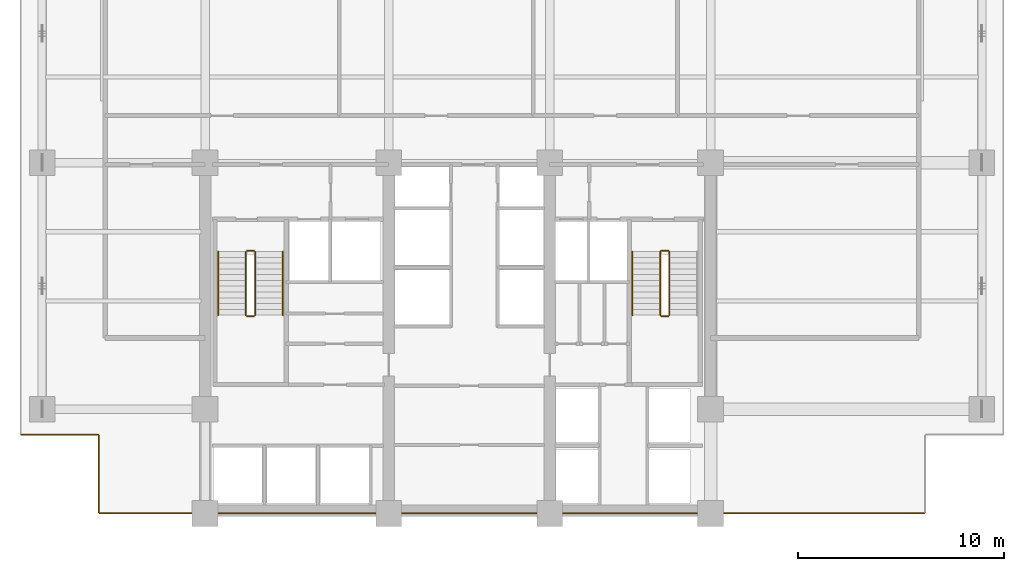
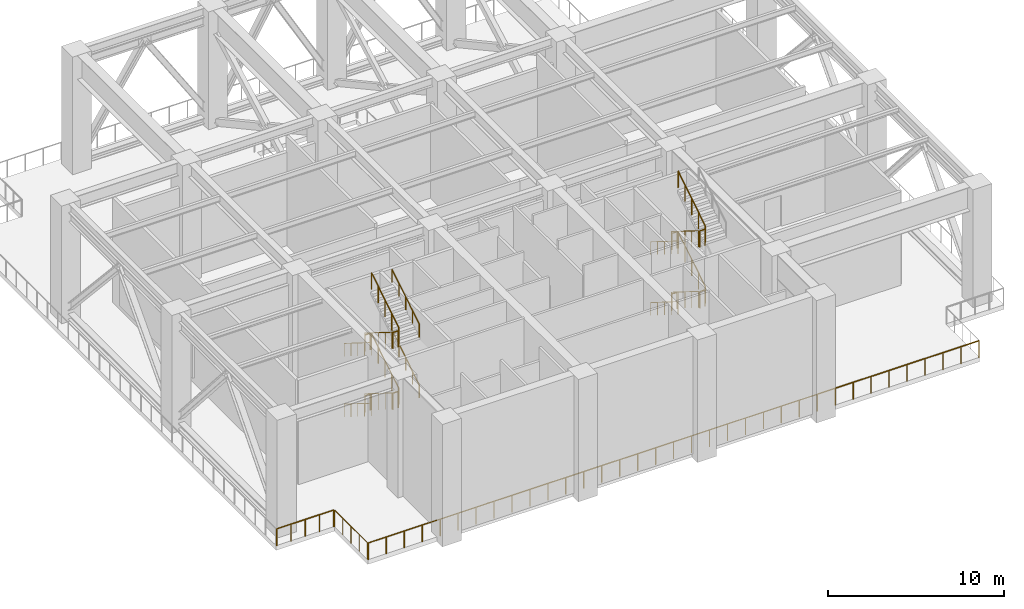
# One storey, part 6 of 7: 25 railings.
"""IFC4 building model written with IfcOpenShell, lengths in metres."""

from ifc_helpers import new_model, si_unit, direction, frame, origin, origin_2d, place, context, subcontext, project, spatial, circle, extrude, material, type_object, element, save


model = new_model("IFC4")

# Units and contexts
model_context = context("Model", 3, precision=1e-05, world=origin(), true_north=direction((0.0, 1.0)))
body_context = subcontext(model_context, "Body", "Model", "MODEL_VIEW")
ifc_project = project(units=[si_unit("LENGTHUNIT", "METRE"), si_unit("AREAUNIT", "SQUARE_METRE"), si_unit("VOLUMEUNIT", "CUBIC_METRE"), si_unit("PLANEANGLEUNIT", "RADIAN"), si_unit("MASSUNIT", "GRAM", prefix="KILO")], contexts=[model_context])

# Site, building, storey
site_placement = place(None, origin())
site = spatial("IfcSite", under=ifc_project, at=site_placement, CompositionType="ELEMENT")
building_placement = place(site_placement, origin())
building = spatial("IfcBuilding", under=site, at=building_placement, Name="Qalmaran Belvedere Hotel", CompositionType="ELEMENT")
storey_placement = place(building_placement, frame((0.0, 0.0, 130.199951171875)))
storey = spatial("IfcBuildingStorey", under=building, at=storey_placement, Name="L33", CompositionType="ELEMENT", Elevation=130.199951171875)

# Railings
ifc_material_1 = material(Name="Anodised Bronze Aluminium", Category="aluminium")
railing_type_1 = type_object("IfcRailingType", Name="GRD-PORTAL-1180", PredefinedType="BALUSTRADE", material=ifc_material_1)
railing_1_placement = place(storey_placement, frame((15.18505859375, 3.5, 0.0)))
element("IfcRailing", 1, at=railing_1_placement, inside=storey, type_object=railing_type_1, Name="L33 Guardrail L33-OUT-1", PredefinedType="BALUSTRADE", context=body_context, shape_type="SweptSolid", body=[
    extrude(circle(Radius=0.02392578125, at=origin_2d()), frame((0.0, 0.0, 1.15576171875), z_axis=(1.0, 0.0, 0.0), x_axis=(0.0, 1.0, 0.0)), (0.0, 0.0, 1.0), 39.97998046875),
    extrude(circle(Radius=0.02099609375, at=origin_2d()), origin(), (0.0, 0.0, 1.0), 1.1318359375),
    extrude(circle(Radius=0.02099609375, at=origin_2d()), frame((1.17578125, 0.0, 0.0)), (0.0, 0.0, 1.0), 1.1318359375),
    extrude(circle(Radius=0.02099609375, at=origin_2d()), frame((2.351806640625, 0.0, 0.0)), (0.0, 0.0, 1.0), 1.1318359375),
    extrude(circle(Radius=0.02099609375, at=origin_2d()), frame((3.527587890625, 0.0, 0.0)), (0.0, 0.0, 1.0), 1.1318359375),
    extrude(circle(Radius=0.02099609375, at=origin_2d()), frame((4.70361328125, 0.0, 0.0)), (0.0, 0.0, 1.0), 1.1318359375),
    extrude(circle(Radius=0.02099609375, at=origin_2d()), frame((5.87939453125, 0.0, 0.0)), (0.0, 0.0, 1.0), 1.1318359375),
    extrude(circle(Radius=0.02099609375, at=origin_2d()), frame((7.05517578125, 0.0, 0.0)), (0.0, 0.0, 1.0), 1.1318359375),
    extrude(circle(Radius=0.02099609375, at=origin_2d()), frame((8.231201171875, 0.0, 0.0)), (0.0, 0.0, 1.0), 1.1318359375),
    extrude(circle(Radius=0.02099609375, at=origin_2d()), frame((9.406982421875, 0.0, 0.0)), (0.0, 0.0, 1.0), 1.1318359375),
    extrude(circle(Radius=0.02099609375, at=origin_2d()), frame((10.5830078125, 0.0, 0.0)), (0.0, 0.0, 1.0), 1.1318359375),
    extrude(circle(Radius=0.02099609375, at=origin_2d()), frame((11.7587890625, 0.0, 0.0)), (0.0, 0.0, 1.0), 1.1318359375),
    extrude(circle(Radius=0.02099609375, at=origin_2d()), frame((12.934814453125, 0.0, 0.0)), (0.0, 0.0, 1.0), 1.1318359375),
    extrude(circle(Radius=0.02099609375, at=origin_2d()), frame((14.110595703125, 0.0, 0.0)), (0.0, 0.0, 1.0), 1.1318359375),
    extrude(circle(Radius=0.02099609375, at=origin_2d()), frame((15.286376953125, 0.0, 0.0)), (0.0, 0.0, 1.0), 1.1318359375),
    extrude(circle(Radius=0.02099609375, at=origin_2d()), frame((16.46240234375, 0.0, 0.0)), (0.0, 0.0, 1.0), 1.1318359375),
    extrude(circle(Radius=0.02099609375, at=origin_2d()), frame((17.63818359375, 0.0, 0.0)), (0.0, 0.0, 1.0), 1.1318359375),
    extrude(circle(Radius=0.02099609375, at=origin_2d()), frame((18.814208984375, 0.0, 0.0)), (0.0, 0.0, 1.0), 1.1318359375),
    extrude(circle(Radius=0.02099609375, at=origin_2d()), frame((19.989990234375, 0.0, 0.0)), (0.0, 0.0, 1.0), 1.1318359375),
    extrude(circle(Radius=0.02099609375, at=origin_2d()), frame((21.165771484375, 0.0, 0.0)), (0.0, 0.0, 1.0), 1.1318359375),
    extrude(circle(Radius=0.02099609375, at=origin_2d()), frame((22.341796875, 0.0, 0.0)), (0.0, 0.0, 1.0), 1.1318359375),
    extrude(circle(Radius=0.02099609375, at=origin_2d()), frame((23.517578125, 0.0, 0.0)), (0.0, 0.0, 1.0), 1.1318359375),
    extrude(circle(Radius=0.02099609375, at=origin_2d()), frame((24.693603515625, 0.0, 0.0)), (0.0, 0.0, 1.0), 1.1318359375),
    extrude(circle(Radius=0.02099609375, at=origin_2d()), frame((25.869384765625, 0.0, 0.0)), (0.0, 0.0, 1.0), 1.1318359375),
    extrude(circle(Radius=0.02099609375, at=origin_2d()), frame((27.045166015625, 0.0, 0.0)), (0.0, 0.0, 1.0), 1.1318359375),
    extrude(circle(Radius=0.02099609375, at=origin_2d()), frame((28.22119140625, 0.0, 0.0)), (0.0, 0.0, 1.0), 1.1318359375),
    extrude(circle(Radius=0.02099609375, at=origin_2d()), frame((29.39697265625, 0.0, 0.0)), (0.0, 0.0, 1.0), 1.1318359375),
    extrude(circle(Radius=0.02099609375, at=origin_2d()), frame((30.572998046875, 0.0, 0.0)), (0.0, 0.0, 1.0), 1.1318359375),
    extrude(circle(Radius=0.02099609375, at=origin_2d()), frame((31.748779296875, 0.0, 0.0)), (0.0, 0.0, 1.0), 1.1318359375),
    extrude(circle(Radius=0.02099609375, at=origin_2d()), frame((32.9248046875, 0.0, 0.0)), (0.0, 0.0, 1.0), 1.1318359375),
    extrude(circle(Radius=0.02099609375, at=origin_2d()), frame((34.1005859375, 0.0, 0.0)), (0.0, 0.0, 1.0), 1.1318359375),
    extrude(circle(Radius=0.02099609375, at=origin_2d()), frame((35.2763671875, 0.0, 0.0)), (0.0, 0.0, 1.0), 1.1318359375),
    extrude(circle(Radius=0.02099609375, at=origin_2d()), frame((36.452392578125, 0.0, 0.0)), (0.0, 0.0, 1.0), 1.1318359375),
    extrude(circle(Radius=0.02099609375, at=origin_2d()), frame((37.628173828125, 0.0, 0.0)), (0.0, 0.0, 1.0), 1.1318359375),
    extrude(circle(Radius=0.02099609375, at=origin_2d()), frame((38.80419921875, 0.0, 0.0)), (0.0, 0.0, 1.0), 1.1318359375),
    extrude(circle(Radius=0.02099609375, at=origin_2d()), frame((39.97998046875, 0.0, 0.0)), (0.0, 0.0, 1.0), 1.1318359375),
])
railing_2_placement = place(storey_placement, frame((11.385009765625, 7.300048828125, 0.0)))
element("IfcRailing", 2, at=railing_2_placement, inside=storey, type_object=railing_type_1, Name="L33 Guardrail L33-OUT-11", PredefinedType="BALUSTRADE", context=body_context, shape_type="SweptSolid", body=[
    extrude(circle(Radius=0.02392578125, at=origin_2d()), frame((0.0, 0.0, 1.15576171875), z_axis=(1.0, 0.0, 0.0), x_axis=(0.0, 1.0, 0.0)), (0.0, 0.0, 1.0), 3.72998046875),
    extrude(circle(Radius=0.02099609375, at=origin_2d()), origin(), (0.0, 0.0, 1.0), 1.1318359375),
    extrude(circle(Radius=0.02099609375, at=origin_2d()), frame((0.9326171875, 0.0, 0.0)), (0.0, 0.0, 1.0), 1.1318359375),
    extrude(circle(Radius=0.02099609375, at=origin_2d()), frame((1.864990234375, 0.0, 0.0)), (0.0, 0.0, 1.0), 1.1318359375),
    extrude(circle(Radius=0.02099609375, at=origin_2d()), frame((2.79736328125, 0.0, 0.0)), (0.0, 0.0, 1.0), 1.1318359375),
    extrude(circle(Radius=0.02099609375, at=origin_2d()), frame((3.72998046875, 0.0, 0.0)), (0.0, 0.0, 1.0), 1.1318359375),
])
railing_3_placement = place(storey_placement, frame((15.14990234375, 7.264892578125, 0.0)))
element("IfcRailing", 3, at=railing_3_placement, inside=storey, type_object=railing_type_1, Name="L33 Guardrail L33-OUT-12", PredefinedType="BALUSTRADE", context=body_context, shape_type="SweptSolid", body=[
    extrude(circle(Radius=0.02392578125, at=origin_2d()), frame((0.0, 0.0, 1.15576171875), z_axis=(0.0, -1.0, 0.0), x_axis=(1.0, 0.0, 0.0)), (0.0, 0.0, 1.0), 3.72998046875),
    extrude(circle(Radius=0.02099609375, at=origin_2d()), origin(), (0.0, 0.0, 1.0), 1.1318359375),
    extrude(circle(Radius=0.02099609375, at=origin_2d()), frame((0.0, -0.9326171875, 0.0)), (0.0, 0.0, 1.0), 1.1318359375),
    extrude(circle(Radius=0.02099609375, at=origin_2d()), frame((0.0, -1.864990234375, 0.0)), (0.0, 0.0, 1.0), 1.1318359375),
    extrude(circle(Radius=0.02099609375, at=origin_2d()), frame((0.0, -2.79736328125, 0.0)), (0.0, 0.0, 1.0), 1.1318359375),
    extrude(circle(Radius=0.02099609375, at=origin_2d()), frame((0.0, -3.72998046875, 0.0)), (0.0, 0.0, 1.0), 1.1318359375),
])
ifc_material_2 = material(Name="Stainless Steel 1.4401", Category="steel")
railing_type_2 = type_object("IfcRailingType", Name="RLG-STAIR-GUARD-1150", PredefinedType="GUARDRAIL", material=ifc_material_2)
railing_4_placement = place(storey_placement, frame((22.280029296875, 16.18994140625, 0.175048828125)))
element("IfcRailing", 4, at=railing_4_placement, inside=storey, type_object=railing_type_2, Name="L33 ST-1 stair guard 1", PredefinedType="GUARDRAIL", context=body_context, shape_type="SweptSolid", body=[
    extrude(circle(Radius=0.02392578125, at=origin_2d()), frame((0.0, 0.0, 1.1259765625), z_axis=(0.0, -0.847979421464, 0.530029150871), x_axis=(1.0, 0.0, 0.0)), (0.0, 0.0, 1.0), 3.632080078125),
    extrude(circle(Radius=0.02099609375, at=origin_2d()), origin(), (0.0, 0.0, 1.0), 1.101806640625),
    extrude(circle(Radius=0.02099609375, at=origin_2d()), frame((0.0, -0.77001953125, 0.481201171875)), (0.0, 0.0, 1.0), 1.101806640625),
    extrude(circle(Radius=0.02099609375, at=origin_2d()), frame((0.0, -1.5400390625, 0.96240234375)), (0.0, 0.0, 1.0), 1.101806640625),
    extrude(circle(Radius=0.02099609375, at=origin_2d()), frame((0.0, -2.309814453125, 1.44384765625)), (0.0, 0.0, 1.0), 1.101806640625),
    extrude(circle(Radius=0.02099609375, at=origin_2d()), frame((0.0, -3.079833984375, 1.925048828125)), (0.0, 0.0, 1.0), 1.101806640625),
])
railing_5_placement = place(storey_placement, frame((22.330078125, 13.06005859375, 2.10009765625)))
element("IfcRailing", 5, at=railing_5_placement, inside=storey, type_object=railing_type_2, Name="L33 ST-1 stair guard 2", PredefinedType="GUARDRAIL", context=body_context, shape_type="SweptSolid", body=[
    extrude(circle(Radius=0.02392578125, at=origin_2d()), frame((0.0, 0.0, 1.1259765625), z_axis=(1.0, 0.0, 0.0), x_axis=(0.0, 1.0, 0.0)), (0.0, 0.0, 1.0), 0.33984375),
    extrude(circle(Radius=0.02099609375, at=origin_2d()), origin(), (0.0, 0.0, 1.0), 1.101806640625),
    extrude(circle(Radius=0.02099609375, at=origin_2d()), frame((0.33984375, 0.0, 0.0)), (0.0, 0.0, 1.0), 1.101806640625),
])
railing_6_placement = place(storey_placement, frame((22.719970703125, 13.110107421875, 2.275146484375)))
element("IfcRailing", 6, at=railing_6_placement, inside=storey, type_object=railing_type_2, Name="L33 ST-1 stair guard 3", PredefinedType="GUARDRAIL", context=body_context, shape_type="SweptSolid", body=[
    extrude(circle(Radius=0.02392578125, at=origin_2d()), frame((0.0, 0.0, 1.1259765625), z_axis=(0.0, 0.848009633417, 0.529980812513), x_axis=(-1.0, 0.0, 0.0)), (0.0, 0.0, 1.0), 3.6318359375),
    extrude(circle(Radius=0.02099609375, at=origin_2d()), origin(), (0.0, 0.0, 1.0), 1.101806640625),
    extrude(circle(Radius=0.02099609375, at=origin_2d()), frame((0.0, 0.77001953125, 0.481201171875)), (0.0, 0.0, 1.0), 1.101806640625),
    extrude(circle(Radius=0.02099609375, at=origin_2d()), frame((0.0, 1.5400390625, 0.96240234375)), (0.0, 0.0, 1.0), 1.101806640625),
    extrude(circle(Radius=0.02099609375, at=origin_2d()), frame((0.0, 2.309814453125, 1.443603515625)), (0.0, 0.0, 1.0), 1.101806640625),
    extrude(circle(Radius=0.02099609375, at=origin_2d()), frame((0.0, 3.079833984375, 1.9248046875)), (0.0, 0.0, 1.0), 1.101806640625),
])
railing_7_placement = place(storey_placement, frame((22.330078125, 16.239990234375, 4.199951171875)))
element("IfcRailing", 7, at=railing_7_placement, inside=storey, type_object=railing_type_2, Name="L33 ST-1 stair guard 4", PredefinedType="GUARDRAIL", context=body_context, shape_type="SweptSolid", body=[
    extrude(circle(Radius=0.02392578125, at=origin_2d()), frame((0.0, 0.0, 1.1259765625), z_axis=(1.0, 0.0, 0.0), x_axis=(0.0, 1.0, 0.0)), (0.0, 0.0, 1.0), 0.33984375),
    extrude(circle(Radius=0.02099609375, at=origin_2d()), origin(), (0.0, 0.0, 1.0), 1.101806640625),
    extrude(circle(Radius=0.02099609375, at=origin_2d()), frame((0.33984375, 0.0, 0.0)), (0.0, 0.0, 1.0), 1.101806640625),
])
railing_8_placement = place(storey_placement, frame((22.280029296875, 16.18994140625, 4.375)))
element("IfcRailing", 8, at=railing_8_placement, inside=storey, type_object=railing_type_2, Name="L33 ST-1 stair guard 5", PredefinedType="GUARDRAIL", context=body_context, shape_type="SweptSolid", body=[
    extrude(circle(Radius=0.02392578125, at=origin_2d()), frame((0.0, 0.0, 1.1259765625), z_axis=(0.0, -0.847979421464, 0.530029150871), x_axis=(1.0, 0.0, 0.0)), (0.0, 0.0, 1.0), 3.632080078125),
    extrude(circle(Radius=0.02099609375, at=origin_2d()), origin(), (0.0, 0.0, 1.0), 1.101806640625),
    extrude(circle(Radius=0.02099609375, at=origin_2d()), frame((0.0, -0.77001953125, 0.481201171875)), (0.0, 0.0, 1.0), 1.101806640625),
    extrude(circle(Radius=0.02099609375, at=origin_2d()), frame((0.0, -1.5400390625, 0.96240234375)), (0.0, 0.0, 1.0), 1.101806640625),
    extrude(circle(Radius=0.02099609375, at=origin_2d()), frame((0.0, -2.309814453125, 1.44384765625)), (0.0, 0.0, 1.0), 1.101806640625),
    extrude(circle(Radius=0.02099609375, at=origin_2d()), frame((0.0, -3.079833984375, 1.925048828125)), (0.0, 0.0, 1.0), 1.101806640625),
])
railing_9_placement = place(storey_placement, frame((22.330078125, 13.06005859375, 6.300048828125)))
element("IfcRailing", 9, at=railing_9_placement, inside=storey, type_object=railing_type_2, Name="L33 ST-1 stair guard 6", PredefinedType="GUARDRAIL", context=body_context, shape_type="SweptSolid", body=[
    extrude(circle(Radius=0.02392578125, at=origin_2d()), frame((0.0, 0.0, 1.1259765625), z_axis=(1.0, 0.0, 0.0), x_axis=(0.0, 1.0, 0.0)), (0.0, 0.0, 1.0), 0.33984375),
    extrude(circle(Radius=0.02099609375, at=origin_2d()), origin(), (0.0, 0.0, 1.0), 1.101806640625),
    extrude(circle(Radius=0.02099609375, at=origin_2d()), frame((0.33984375, 0.0, 0.0)), (0.0, 0.0, 1.0), 1.101806640625),
])
railing_10_placement = place(storey_placement, frame((22.719970703125, 13.110107421875, 6.47509765625)))
element("IfcRailing", 10, at=railing_10_placement, inside=storey, type_object=railing_type_2, Name="L33 ST-1 stair guard 7", PredefinedType="GUARDRAIL", context=body_context, shape_type="SweptSolid", body=[
    extrude(circle(Radius=0.02392578125, at=origin_2d()), frame((0.0, 0.0, 1.1259765625), z_axis=(0.0, 0.847979421464, 0.530029150871), x_axis=(-1.0, 0.0, 0.0)), (0.0, 0.0, 1.0), 3.632080078125),
    extrude(circle(Radius=0.02099609375, at=origin_2d()), origin(), (0.0, 0.0, 1.0), 1.101806640625),
    extrude(circle(Radius=0.02099609375, at=origin_2d()), frame((0.0, 0.77001953125, 0.481201171875)), (0.0, 0.0, 1.0), 1.101806640625),
    extrude(circle(Radius=0.02099609375, at=origin_2d()), frame((0.0, 1.5400390625, 0.96240234375)), (0.0, 0.0, 1.0), 1.101806640625),
    extrude(circle(Radius=0.02099609375, at=origin_2d()), frame((0.0, 2.309814453125, 1.44384765625)), (0.0, 0.0, 1.0), 1.101806640625),
    extrude(circle(Radius=0.02099609375, at=origin_2d()), frame((0.0, 3.079833984375, 1.925048828125)), (0.0, 0.0, 1.0), 1.101806640625),
])
railing_11_placement = place(storey_placement, frame((22.330078125, 16.239990234375, 0.0)))
element("IfcRailing", 11, at=railing_11_placement, inside=storey, type_object=railing_type_2, Name="L33 ST-1 stair guard 8", PredefinedType="GUARDRAIL", context=body_context, shape_type="SweptSolid", body=[
    extrude(circle(Radius=0.02392578125, at=origin_2d()), frame((0.0, 0.0, 1.1259765625), z_axis=(1.0, 0.0, 0.0), x_axis=(0.0, 1.0, 0.0)), (0.0, 0.0, 1.0), 0.33984375),
    extrude(circle(Radius=0.02099609375, at=origin_2d()), origin(), (0.0, 0.0, 1.0), 1.101806640625),
    extrude(circle(Radius=0.02099609375, at=origin_2d()), frame((0.33984375, 0.0, 0.0)), (0.0, 0.0, 1.0), 1.101806640625),
])
railing_12_placement = place(storey_placement, frame((42.360107421875, 16.18994140625, 0.175048828125)))
element("IfcRailing", 12, at=railing_12_placement, inside=storey, type_object=railing_type_2, Name="L33 ST-2 stair guard 1", PredefinedType="GUARDRAIL", context=body_context, shape_type="SweptSolid", body=[
    extrude(circle(Radius=0.02392578125, at=origin_2d()), frame((0.0, 0.0, 1.1259765625), z_axis=(0.0, -0.847979421464, 0.530029150871), x_axis=(1.0, 0.0, 0.0)), (0.0, 0.0, 1.0), 3.632080078125),
    extrude(circle(Radius=0.02099609375, at=origin_2d()), origin(), (0.0, 0.0, 1.0), 1.101806640625),
    extrude(circle(Radius=0.02099609375, at=origin_2d()), frame((0.0, -0.77001953125, 0.481201171875)), (0.0, 0.0, 1.0), 1.101806640625),
    extrude(circle(Radius=0.02099609375, at=origin_2d()), frame((0.0, -1.5400390625, 0.96240234375)), (0.0, 0.0, 1.0), 1.101806640625),
    extrude(circle(Radius=0.02099609375, at=origin_2d()), frame((0.0, -2.309814453125, 1.44384765625)), (0.0, 0.0, 1.0), 1.101806640625),
    extrude(circle(Radius=0.02099609375, at=origin_2d()), frame((0.0, -3.079833984375, 1.925048828125)), (0.0, 0.0, 1.0), 1.101806640625),
])
railing_13_placement = place(storey_placement, frame((42.409912109375, 13.06005859375, 2.10009765625)))
element("IfcRailing", 13, at=railing_13_placement, inside=storey, type_object=railing_type_2, Name="L33 ST-2 stair guard 2", PredefinedType="GUARDRAIL", context=body_context, shape_type="SweptSolid", body=[
    extrude(circle(Radius=0.02392578125, at=origin_2d()), frame((0.0, 0.0, 1.1259765625), z_axis=(1.0, 0.0, 0.0), x_axis=(0.0, 1.0, 0.0)), (0.0, 0.0, 1.0), 0.340087890625),
    extrude(circle(Radius=0.02099609375, at=origin_2d()), origin(), (0.0, 0.0, 1.0), 1.101806640625),
    extrude(circle(Radius=0.02099609375, at=origin_2d()), frame((0.340087890625, 0.0, 0.0)), (0.0, 0.0, 1.0), 1.101806640625),
])
railing_14_placement = place(storey_placement, frame((42.800048828125, 13.110107421875, 2.275146484375)))
element("IfcRailing", 14, at=railing_14_placement, inside=storey, type_object=railing_type_2, Name="L33 ST-2 stair guard 3", PredefinedType="GUARDRAIL", context=body_context, shape_type="SweptSolid", body=[
    extrude(circle(Radius=0.02392578125, at=origin_2d()), frame((0.0, 0.0, 1.1259765625), z_axis=(0.0, 0.848009633417, 0.529980812513), x_axis=(-1.0, 0.0, 0.0)), (0.0, 0.0, 1.0), 3.6318359375),
    extrude(circle(Radius=0.02099609375, at=origin_2d()), origin(), (0.0, 0.0, 1.0), 1.101806640625),
    extrude(circle(Radius=0.02099609375, at=origin_2d()), frame((0.0, 0.77001953125, 0.481201171875)), (0.0, 0.0, 1.0), 1.101806640625),
    extrude(circle(Radius=0.02099609375, at=origin_2d()), frame((0.0, 1.5400390625, 0.96240234375)), (0.0, 0.0, 1.0), 1.101806640625),
    extrude(circle(Radius=0.02099609375, at=origin_2d()), frame((0.0, 2.309814453125, 1.443603515625)), (0.0, 0.0, 1.0), 1.101806640625),
    extrude(circle(Radius=0.02099609375, at=origin_2d()), frame((0.0, 3.079833984375, 1.9248046875)), (0.0, 0.0, 1.0), 1.101806640625),
])
railing_15_placement = place(storey_placement, frame((42.409912109375, 16.239990234375, 4.199951171875)))
element("IfcRailing", 15, at=railing_15_placement, inside=storey, type_object=railing_type_2, Name="L33 ST-2 stair guard 4", PredefinedType="GUARDRAIL", context=body_context, shape_type="SweptSolid", body=[
    extrude(circle(Radius=0.02392578125, at=origin_2d()), frame((0.0, 0.0, 1.1259765625), z_axis=(1.0, 0.0, 0.0), x_axis=(0.0, 1.0, 0.0)), (0.0, 0.0, 1.0), 0.340087890625),
    extrude(circle(Radius=0.02099609375, at=origin_2d()), origin(), (0.0, 0.0, 1.0), 1.101806640625),
    extrude(circle(Radius=0.02099609375, at=origin_2d()), frame((0.340087890625, 0.0, 0.0)), (0.0, 0.0, 1.0), 1.101806640625),
])
railing_16_placement = place(storey_placement, frame((42.360107421875, 16.18994140625, 4.375)))
element("IfcRailing", 16, at=railing_16_placement, inside=storey, type_object=railing_type_2, Name="L33 ST-2 stair guard 5", PredefinedType="GUARDRAIL", context=body_context, shape_type="SweptSolid", body=[
    extrude(circle(Radius=0.02392578125, at=origin_2d()), frame((0.0, 0.0, 1.1259765625), z_axis=(0.0, -0.847979421464, 0.530029150871), x_axis=(1.0, 0.0, 0.0)), (0.0, 0.0, 1.0), 3.632080078125),
    extrude(circle(Radius=0.02099609375, at=origin_2d()), origin(), (0.0, 0.0, 1.0), 1.101806640625),
    extrude(circle(Radius=0.02099609375, at=origin_2d()), frame((0.0, -0.77001953125, 0.481201171875)), (0.0, 0.0, 1.0), 1.101806640625),
    extrude(circle(Radius=0.02099609375, at=origin_2d()), frame((0.0, -1.5400390625, 0.96240234375)), (0.0, 0.0, 1.0), 1.101806640625),
    extrude(circle(Radius=0.02099609375, at=origin_2d()), frame((0.0, -2.309814453125, 1.44384765625)), (0.0, 0.0, 1.0), 1.101806640625),
    extrude(circle(Radius=0.02099609375, at=origin_2d()), frame((0.0, -3.079833984375, 1.925048828125)), (0.0, 0.0, 1.0), 1.101806640625),
])
railing_17_placement = place(storey_placement, frame((42.409912109375, 13.06005859375, 6.300048828125)))
element("IfcRailing", 17, at=railing_17_placement, inside=storey, type_object=railing_type_2, Name="L33 ST-2 stair guard 6", PredefinedType="GUARDRAIL", context=body_context, shape_type="SweptSolid", body=[
    extrude(circle(Radius=0.02392578125, at=origin_2d()), frame((0.0, 0.0, 1.1259765625), z_axis=(1.0, 0.0, 0.0), x_axis=(0.0, 1.0, 0.0)), (0.0, 0.0, 1.0), 0.340087890625),
    extrude(circle(Radius=0.02099609375, at=origin_2d()), origin(), (0.0, 0.0, 1.0), 1.101806640625),
    extrude(circle(Radius=0.02099609375, at=origin_2d()), frame((0.340087890625, 0.0, 0.0)), (0.0, 0.0, 1.0), 1.101806640625),
])
railing_18_placement = place(storey_placement, frame((42.800048828125, 13.110107421875, 6.47509765625)))
element("IfcRailing", 18, at=railing_18_placement, inside=storey, type_object=railing_type_2, Name="L33 ST-2 stair guard 7", PredefinedType="GUARDRAIL", context=body_context, shape_type="SweptSolid", body=[
    extrude(circle(Radius=0.02392578125, at=origin_2d()), frame((0.0, 0.0, 1.1259765625), z_axis=(0.0, 0.847979421464, 0.530029150871), x_axis=(-1.0, 0.0, 0.0)), (0.0, 0.0, 1.0), 3.632080078125),
    extrude(circle(Radius=0.02099609375, at=origin_2d()), origin(), (0.0, 0.0, 1.0), 1.101806640625),
    extrude(circle(Radius=0.02099609375, at=origin_2d()), frame((0.0, 0.77001953125, 0.481201171875)), (0.0, 0.0, 1.0), 1.101806640625),
    extrude(circle(Radius=0.02099609375, at=origin_2d()), frame((0.0, 1.5400390625, 0.96240234375)), (0.0, 0.0, 1.0), 1.101806640625),
    extrude(circle(Radius=0.02099609375, at=origin_2d()), frame((0.0, 2.309814453125, 1.44384765625)), (0.0, 0.0, 1.0), 1.101806640625),
    extrude(circle(Radius=0.02099609375, at=origin_2d()), frame((0.0, 3.079833984375, 1.925048828125)), (0.0, 0.0, 1.0), 1.101806640625),
])
railing_19_placement = place(storey_placement, frame((42.409912109375, 16.239990234375, 0.0)))
element("IfcRailing", 19, at=railing_19_placement, inside=storey, type_object=railing_type_2, Name="L33 ST-2 stair guard 8", PredefinedType="GUARDRAIL", context=body_context, shape_type="SweptSolid", body=[
    extrude(circle(Radius=0.02392578125, at=origin_2d()), frame((0.0, 0.0, 1.1259765625), z_axis=(1.0, 0.0, 0.0), x_axis=(0.0, 1.0, 0.0)), (0.0, 0.0, 1.0), 0.340087890625),
    extrude(circle(Radius=0.02099609375, at=origin_2d()), origin(), (0.0, 0.0, 1.0), 1.101806640625),
    extrude(circle(Radius=0.02099609375, at=origin_2d()), frame((0.340087890625, 0.0, 0.0)), (0.0, 0.0, 1.0), 1.101806640625),
])
railing_type_3 = type_object("IfcRailingType", Name="RLG-STAIR-HAND-910", PredefinedType="HANDRAIL", material=ifc_material_2)
railing_20_placement = place(storey_placement, frame((20.929931640625, 16.18994140625, 0.175048828125)))
element("IfcRailing", 20, at=railing_20_placement, inside=storey, type_object=railing_type_3, Name="L33 ST-1 stair handrail 1", PredefinedType="HANDRAIL", context=body_context, shape_type="SweptSolid", body=[
    extrude(circle(Radius=0.02392578125, at=origin_2d()), frame((0.0, 0.0, 0.8857421875), z_axis=(0.0, -0.847979421464, 0.530029150871), x_axis=(1.0, 0.0, 0.0)), (0.0, 0.0, 1.0), 3.632080078125),
    extrude(circle(Radius=0.02099609375, at=origin_2d()), origin(), (0.0, 0.0, 1.0), 0.86181640625),
    extrude(circle(Radius=0.02099609375, at=origin_2d()), frame((0.0, -0.77001953125, 0.481201171875)), (0.0, 0.0, 1.0), 0.86181640625),
    extrude(circle(Radius=0.02099609375, at=origin_2d()), frame((0.0, -1.5400390625, 0.96240234375)), (0.0, 0.0, 1.0), 0.86181640625),
    extrude(circle(Radius=0.02099609375, at=origin_2d()), frame((0.0, -2.309814453125, 1.44384765625)), (0.0, 0.0, 1.0), 0.86181640625),
    extrude(circle(Radius=0.02099609375, at=origin_2d()), frame((0.0, -3.079833984375, 1.925048828125)), (0.0, 0.0, 1.0), 0.86181640625),
])
railing_21_placement = place(storey_placement, frame((24.070068359375, 13.110107421875, 2.275146484375)))
element("IfcRailing", 21, at=railing_21_placement, inside=storey, type_object=railing_type_3, Name="L33 ST-1 stair handrail 2", PredefinedType="HANDRAIL", context=body_context, shape_type="SweptSolid", body=[
    extrude(circle(Radius=0.02392578125, at=origin_2d()), frame((0.0, 0.0, 0.8857421875), z_axis=(0.0, 0.848009633417, 0.529980812513), x_axis=(-1.0, 0.0, 0.0)), (0.0, 0.0, 1.0), 3.6318359375),
    extrude(circle(Radius=0.02099609375, at=origin_2d()), origin(), (0.0, 0.0, 1.0), 0.86181640625),
    extrude(circle(Radius=0.02099609375, at=origin_2d()), frame((0.0, 0.77001953125, 0.481201171875)), (0.0, 0.0, 1.0), 0.86181640625),
    extrude(circle(Radius=0.02099609375, at=origin_2d()), frame((0.0, 1.5400390625, 0.96240234375)), (0.0, 0.0, 1.0), 0.86181640625),
    extrude(circle(Radius=0.02099609375, at=origin_2d()), frame((0.0, 2.309814453125, 1.443603515625)), (0.0, 0.0, 1.0), 0.86181640625),
    extrude(circle(Radius=0.02099609375, at=origin_2d()), frame((0.0, 3.079833984375, 1.9248046875)), (0.0, 0.0, 1.0), 0.86181640625),
])
railing_22_placement = place(storey_placement, frame((20.929931640625, 16.18994140625, 4.375)))
element("IfcRailing", 22, at=railing_22_placement, inside=storey, type_object=railing_type_3, Name="L33 ST-1 stair handrail 3", PredefinedType="HANDRAIL", context=body_context, shape_type="SweptSolid", body=[
    extrude(circle(Radius=0.02392578125, at=origin_2d()), frame((0.0, 0.0, 0.8857421875), z_axis=(0.0, -0.847979421464, 0.530029150871), x_axis=(1.0, 0.0, 0.0)), (0.0, 0.0, 1.0), 3.632080078125),
    extrude(circle(Radius=0.02099609375, at=origin_2d()), origin(), (0.0, 0.0, 1.0), 0.86181640625),
    extrude(circle(Radius=0.02099609375, at=origin_2d()), frame((0.0, -0.77001953125, 0.481201171875)), (0.0, 0.0, 1.0), 0.86181640625),
    extrude(circle(Radius=0.02099609375, at=origin_2d()), frame((0.0, -1.5400390625, 0.96240234375)), (0.0, 0.0, 1.0), 0.86181640625),
    extrude(circle(Radius=0.02099609375, at=origin_2d()), frame((0.0, -2.309814453125, 1.44384765625)), (0.0, 0.0, 1.0), 0.86181640625),
    extrude(circle(Radius=0.02099609375, at=origin_2d()), frame((0.0, -3.079833984375, 1.925048828125)), (0.0, 0.0, 1.0), 0.86181640625),
])
railing_23_placement = place(storey_placement, frame((24.070068359375, 13.110107421875, 6.47509765625)))
element("IfcRailing", 23, at=railing_23_placement, inside=storey, type_object=railing_type_3, Name="L33 ST-1 stair handrail 4", PredefinedType="HANDRAIL", context=body_context, shape_type="SweptSolid", body=[
    extrude(circle(Radius=0.02392578125, at=origin_2d()), frame((0.0, 0.0, 0.8857421875), z_axis=(0.0, 0.847979421464, 0.530029150871), x_axis=(-1.0, 0.0, 0.0)), (0.0, 0.0, 1.0), 3.632080078125),
    extrude(circle(Radius=0.02099609375, at=origin_2d()), origin(), (0.0, 0.0, 1.0), 0.86181640625),
    extrude(circle(Radius=0.02099609375, at=origin_2d()), frame((0.0, 0.77001953125, 0.481201171875)), (0.0, 0.0, 1.0), 0.86181640625),
    extrude(circle(Radius=0.02099609375, at=origin_2d()), frame((0.0, 1.5400390625, 0.96240234375)), (0.0, 0.0, 1.0), 0.86181640625),
    extrude(circle(Radius=0.02099609375, at=origin_2d()), frame((0.0, 2.309814453125, 1.44384765625)), (0.0, 0.0, 1.0), 0.86181640625),
    extrude(circle(Radius=0.02099609375, at=origin_2d()), frame((0.0, 3.079833984375, 1.925048828125)), (0.0, 0.0, 1.0), 0.86181640625),
])
for number, where, name in (
    (24, (41.010009765625, 16.18994140625, 0.175048828125), "L33 ST-2 stair handrail 1"),
    (25, (41.010009765625, 16.18994140625, 4.375), "L33 ST-2 stair handrail 3"),
):
    element("IfcRailing", number, at=place(storey_placement, frame(where)), inside=storey, type_object=railing_type_3, Name=name, PredefinedType="HANDRAIL", context=body_context, shape_type="SweptSolid", body=[
        extrude(circle(Radius=0.02392578125, at=origin_2d()), frame((0.0, 0.0, 0.8857421875), z_axis=(0.0, -0.847979421464, 0.530029150871), x_axis=(1.0, 0.0, 0.0)), (0.0, 0.0, 1.0), 3.632080078125),
        extrude(circle(Radius=0.02099609375, at=origin_2d()), origin(), (0.0, 0.0, 1.0), 0.86181640625),
        extrude(circle(Radius=0.02099609375, at=origin_2d()), frame((0.0, -0.77001953125, 0.481201171875)), (0.0, 0.0, 1.0), 0.86181640625),
        extrude(circle(Radius=0.02099609375, at=origin_2d()), frame((0.0, -1.5400390625, 0.96240234375)), (0.0, 0.0, 1.0), 0.86181640625),
        extrude(circle(Radius=0.02099609375, at=origin_2d()), frame((0.0, -2.309814453125, 1.44384765625)), (0.0, 0.0, 1.0), 0.86181640625),
        extrude(circle(Radius=0.02099609375, at=origin_2d()), frame((0.0, -3.079833984375, 1.925048828125)), (0.0, 0.0, 1.0), 0.86181640625),
    ])

save(model, "model.ifc")
